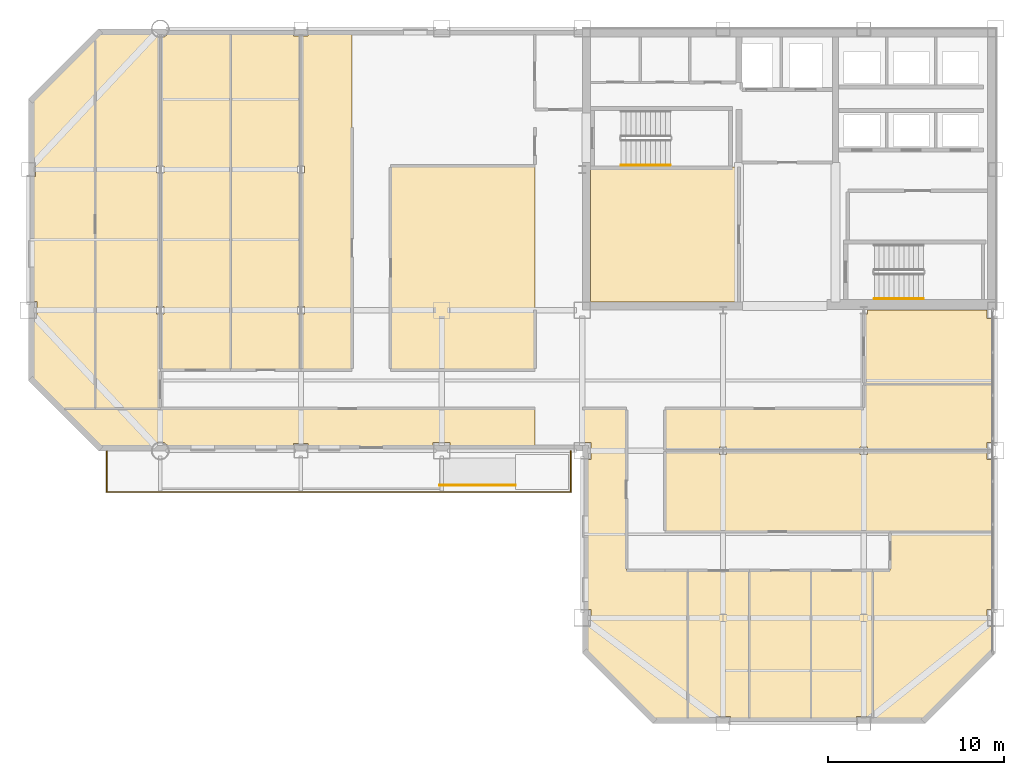
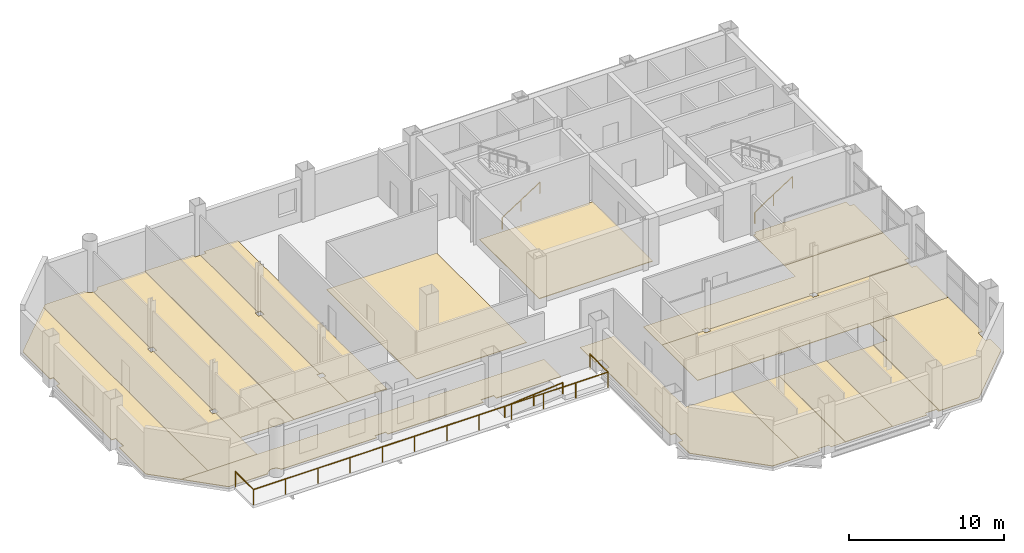
# One storey, part 11 of 12: 16 coverings, 4 railings.
"""IFC4 building model written with IfcOpenShell, lengths in metres."""

from ifc_helpers import new_model, si_unit, direction, frame, origin, origin_2d, place, context, subcontext, project, spatial, polyline, circle, outline, extrude, material, layer, layer_set, type_object, element, save


model = new_model("IFC4")

# Units and contexts
model_context = context("Model", 3, precision=1e-05, world=origin(), true_north=direction((0.0, 1.0)))
body_context = subcontext(model_context, "Body", "Model", "MODEL_VIEW")
ifc_project = project(units=[si_unit("LENGTHUNIT", "METRE"), si_unit("AREAUNIT", "SQUARE_METRE"), si_unit("VOLUMEUNIT", "CUBIC_METRE"), si_unit("PLANEANGLEUNIT", "RADIAN"), si_unit("MASSUNIT", "GRAM", prefix="KILO")], contexts=[model_context])

# Site, building, storey
site_placement = place(None, origin())
site = spatial("IfcSite", under=ifc_project, at=site_placement, CompositionType="ELEMENT")
building_placement = place(site_placement, origin())
building = spatial("IfcBuilding", under=site, at=building_placement, Name="Qianrong Seaharbour Tower", CompositionType="ELEMENT")
storey_placement = place(building_placement, frame((0.0, 0.0, 205.800048828125)))
storey = spatial("IfcBuildingStorey", under=building, at=storey_placement, Name="L49", CompositionType="ELEMENT", Elevation=205.800048828125)

# Coverings
ifc_material_1 = material(Name="Acoustic modular carpet tile flooring")
ifc_layer_1 = layer(ifc_material_1, 0.02001953125)
ifc_layer_set_1 = layer_set([ifc_layer_1], Name="Acoustic modular carpet tile flooring")
covering_type_1 = type_object("IfcCoveringType", Name="COV-FLOOR-CARPET-20", PredefinedType="FLOORING", material=ifc_layer_set_1)
covering_1_placement = place(storey_placement, origin())
element("IfcCovering", 1, at=covering_1_placement, inside=storey, type_object=covering_type_1, Name="L49 Focus Room 2 Finish Flooring", PredefinedType="FLOORING", context=body_context, shape_type="SweptSolid", body=[
    extrude(outline(polyline([(12.800048828125, 51.566650390625), (13.068359375, 51.8349609375), (16.019775390625, 51.8349609375), (16.02880859375, 51.8046875), (16.075927734375, 51.716796875), (16.139404296875, 51.639404296875), (16.216796875, 51.575927734375), (16.3046875, 51.52880859375), (16.400390625, 51.499755859375), (16.5, 51.489990234375), (16.5, 44.2099609375), (16.2900390625, 44.2099609375), (16.2900390625, 43.7900390625), (16.5, 43.7900390625), (16.5, 36.2099609375), (16.2900390625, 36.2099609375), (16.2900390625, 35.7900390625), (16.5, 35.7900390625), (16.5, 30.39990234375), (12.800048828125, 30.39990234375), (12.800048828125, 51.566650390625)])), origin(), (0.0, 0.0, 1.0), 0.02001953125),
])
covering_2_placement = place(storey_placement, origin())
element("IfcCovering", 2, at=covering_2_placement, inside=storey, type_object=covering_type_1, Name="L49 Meeting Room 3 Finish Flooring", PredefinedType="FLOORING", context=body_context, shape_type="SweptSolid", body=[
    extrude(outline(polyline([(20.5, 51.8349609375), (20.5, 32.60009765625), (16.5, 32.60009765625), (16.5, 35.7900390625), (16.7099609375, 35.7900390625), (16.7099609375, 36.2099609375), (16.5, 36.2099609375), (16.5, 43.7900390625), (16.7099609375, 43.7900390625), (16.7099609375, 44.2099609375), (16.5, 44.2099609375), (16.5, 51.489990234375), (16.599609375, 51.499755859375), (16.6953125, 51.52880859375), (16.783203125, 51.575927734375), (16.860595703125, 51.639404296875), (16.924072265625, 51.716796875), (16.97119140625, 51.8046875), (16.980224609375, 51.8349609375), (20.5, 51.8349609375)])), origin(), (0.0, 0.0, 1.0), 0.02001953125),
])
covering_3_placement = place(storey_placement, origin())
element("IfcCovering", 3, at=covering_3_placement, inside=storey, type_object=covering_type_1, Name="L49 Boardroom 2 Finish Flooring", PredefinedType="FLOORING", context=body_context, shape_type="SweptSolid", body=[
    extrude(outline(polyline([(56.5, 30.39990234375), (56.5, 31.800048828125), (63.8349609375, 31.800048828125), (63.8349609375, 28.485107421875), (63.514892578125, 28.485107421875), (63.514892578125, 28.0), (56.7099609375, 28.0), (56.7099609375, 28.2099609375), (56.2900390625, 28.2099609375), (56.2900390625, 28.0), (48.7099609375, 28.0), (48.7099609375, 28.2099609375), (48.2900390625, 28.2099609375), (48.2900390625, 28.0), (45.199951171875, 28.0), (45.199951171875, 30.39990234375), (56.5, 30.39990234375)])), origin(), (0.0, 0.0, 1.0), 0.02001953125),
])
covering_4_placement = place(storey_placement, origin())
element("IfcCovering", 4, at=covering_4_placement, inside=storey, type_object=covering_type_1, Name="L49 Focus Room 3 Finish Flooring", PredefinedType="FLOORING", context=body_context, shape_type="SweptSolid", body=[
    extrude(outline(polyline([(63.8349609375, 31.800048828125), (56.5, 31.800048828125), (56.5, 35.7900390625), (56.7099609375, 35.7900390625), (56.7099609375, 36.0), (63.514892578125, 36.0), (63.514892578125, 35.514892578125), (63.8349609375, 35.514892578125), (63.8349609375, 31.800048828125)])), origin(), (0.0, 0.0, 1.0), 0.02001953125),
])
covering_5_placement = place(storey_placement, origin())
element("IfcCovering", 5, at=covering_5_placement, inside=storey, type_object=covering_type_1, Name="L49 Meeting Room 2 Finish Flooring", PredefinedType="FLOORING", context=body_context, shape_type="SweptSolid", body=[
    extrude(outline(polyline([(48.909912109375, 12.6650390625), (48.909912109375, 12.909912109375), (48.090087890625, 12.909912109375), (48.090087890625, 12.6650390625), (46.5, 12.6650390625), (46.5, 21.199951171875), (50.0, 21.199951171875), (50.0, 12.6650390625), (48.909912109375, 12.6650390625)])), origin(), (0.0, 0.0, 1.0), 0.02001953125),
])
covering_6_placement = place(storey_placement, origin())
element("IfcCovering", 6, at=covering_6_placement, inside=storey, type_object=covering_type_1, Name="L49 Meeting Room 4 Finish Flooring", PredefinedType="FLOORING", context=body_context, shape_type="SweptSolid", body=[
    extrude(outline(polyline([(56.909912109375, 12.6650390625), (56.909912109375, 12.909912109375), (56.090087890625, 12.909912109375), (56.090087890625, 12.6650390625), (53.5, 12.6650390625), (53.5, 21.199951171875), (57.0, 21.199951171875), (57.0, 12.6650390625), (56.909912109375, 12.6650390625)])), origin(), (0.0, 0.0, 1.0), 0.02001953125),
])
ifc_material_2 = material(Name="Calcium-sulphate raised access floor tile")
ifc_layer_2 = layer(ifc_material_2, 0.044921875)
ifc_layer_set_2 = layer_set([ifc_layer_2], Name="Calcium-sulphate raised access floor tile")
covering_type_2 = type_object("IfcCoveringType", Name="COV-FLOOR-RAISED-45", PredefinedType="FLOORING", material=ifc_layer_set_2)
covering_7_placement = place(storey_placement, origin())
element("IfcCovering", 7, at=covering_7_placement, inside=storey, type_object=covering_type_2, Name="L49 Data Systems Office Finish Flooring", PredefinedType="FLOORING", context=body_context, shape_type="SweptSolid", body=[
    extrude(outline(polyline([(49.39990234375, 44.14990234375), (49.39990234375, 36.4599609375), (40.985107421875, 36.4599609375), (40.985107421875, 36.485107421875), (40.9599609375, 36.485107421875), (40.9599609375, 44.14990234375), (49.39990234375, 44.14990234375)])), origin(), (0.0, 0.0, 1.0), 0.044921875),
])
covering_8_placement = place(storey_placement, origin())
element("IfcCovering", 8, at=covering_8_placement, inside=storey, type_object=covering_type_2, Name="L49 Open-Plan Office Finish Flooring", PredefinedType="FLOORING", context=body_context, shape_type="SweptSolid", body=[
    extrude(outline(polyline([(29.60009765625, 44.199951171875), (37.800048828125, 44.199951171875), (37.800048828125, 32.60009765625), (29.60009765625, 32.60009765625), (29.60009765625, 44.199951171875)])), origin(), (0.0, 0.0, 1.0), 0.044921875),
])
covering_9_placement = place(storey_placement, origin())
element("IfcCovering", 9, at=covering_9_placement, inside=storey, type_object=covering_type_2, Name="L49 Executive Office 1 Finish Flooring", PredefinedType="FLOORING", context=body_context, shape_type="SweptSolid", body=[
    extrude(outline(polyline([(9.1650390625, 32.068359375), (9.1650390625, 35.514892578125), (9.485107421875, 35.514892578125), (9.485107421875, 36.485107421875), (9.1650390625, 36.485107421875), (9.1650390625, 43.590087890625), (9.409912109375, 43.590087890625), (9.409912109375, 44.409912109375), (9.1650390625, 44.409912109375), (9.1650390625, 47.931640625), (12.800048828125, 51.566650390625), (12.800048828125, 30.39990234375), (10.833251953125, 30.39990234375), (9.1650390625, 32.068359375)])), origin(), (0.0, 0.0, 1.0), 0.044921875),
])
covering_10_placement = place(storey_placement, origin())
element("IfcCovering", 10, at=covering_10_placement, inside=storey, type_object=covering_type_2, Name="L49 Executive Office 4 Finish Flooring", PredefinedType="FLOORING", context=body_context, shape_type="SweptSolid", body=[
    extrude(outline(polyline([(24.090087890625, 51.8349609375), (24.090087890625, 51.590087890625), (24.5, 51.590087890625), (24.5, 44.2099609375), (24.2900390625, 44.2099609375), (24.2900390625, 43.7900390625), (24.5, 43.7900390625), (24.5, 36.2099609375), (24.2900390625, 36.2099609375), (24.2900390625, 35.7900390625), (24.5, 35.7900390625), (24.5, 32.60009765625), (20.5, 32.60009765625), (20.5, 51.8349609375), (24.090087890625, 51.8349609375)])), origin(), (0.0, 0.0, 1.0), 0.044921875),
])
covering_11_placement = place(storey_placement, origin())
element("IfcCovering", 11, at=covering_11_placement, inside=storey, type_object=covering_type_2, Name="L49 Executive Office 5 Finish Flooring", PredefinedType="FLOORING", context=body_context, shape_type="SweptSolid", body=[
    extrude(outline(polyline([(27.39990234375, 51.8349609375), (27.39990234375, 32.60009765625), (24.5, 32.60009765625), (24.5, 35.7900390625), (24.7099609375, 35.7900390625), (24.7099609375, 36.2099609375), (24.5, 36.2099609375), (24.5, 43.7900390625), (24.7099609375, 43.7900390625), (24.7099609375, 44.2099609375), (24.5, 44.2099609375), (24.5, 51.590087890625), (24.909912109375, 51.590087890625), (24.909912109375, 51.8349609375), (27.39990234375, 51.8349609375)])), origin(), (0.0, 0.0, 1.0), 0.044921875),
])
covering_12_placement = place(storey_placement, origin())
element("IfcCovering", 12, at=covering_12_placement, inside=storey, type_object=covering_type_2, Name="L49 Executive Office 1 Finish Flooring", PredefinedType="FLOORING", context=body_context, shape_type="SweptSolid", body=[
    extrude(outline(polyline([(48.2900390625, 28.0), (48.2900390625, 27.7900390625), (48.7099609375, 27.7900390625), (48.7099609375, 28.0), (56.2900390625, 28.0), (56.2900390625, 27.7900390625), (56.7099609375, 27.7900390625), (56.7099609375, 28.0), (63.514892578125, 28.0), (63.514892578125, 27.514892578125), (63.8349609375, 27.514892578125), (63.8349609375, 23.39990234375), (45.199951171875, 23.39990234375), (45.199951171875, 28.0), (48.2900390625, 28.0)])), origin(), (0.0, 0.0, 1.0), 0.044921875),
])
covering_13_placement = place(storey_placement, origin())
element("IfcCovering", 13, at=covering_13_placement, inside=storey, type_object=covering_type_2, Name="L49 Executive Office 1 Finish Flooring", PredefinedType="FLOORING", context=body_context, shape_type="SweptSolid", body=[
    extrude(outline(polyline([(32.985107421875, 28.1650390625), (32.985107421875, 28.485107421875), (32.014892578125, 28.485107421875), (32.014892578125, 28.1650390625), (24.909912109375, 28.1650390625), (24.909912109375, 28.409912109375), (24.090087890625, 28.409912109375), (24.090087890625, 28.1650390625), (16.980224609375, 28.1650390625), (16.97119140625, 28.1953125), (16.924072265625, 28.283203125), (16.860595703125, 28.360595703125), (16.783203125, 28.424072265625), (16.6953125, 28.47119140625), (16.599609375, 28.500244140625), (16.5, 28.510009765625), (16.400390625, 28.500244140625), (16.3046875, 28.47119140625), (16.216796875, 28.424072265625), (16.139404296875, 28.360595703125), (16.075927734375, 28.283203125), (16.02880859375, 28.1953125), (16.019775390625, 28.1650390625), (13.068359375, 28.1650390625), (10.833251953125, 30.39990234375), (37.800048828125, 30.39990234375), (37.800048828125, 28.1650390625), (32.985107421875, 28.1650390625)])), origin(), (0.0, 0.0, 1.0), 0.044921875),
])
covering_14_placement = place(storey_placement, origin())
element("IfcCovering", 14, at=covering_14_placement, inside=storey, type_object=covering_type_2, Name="L49 Executive Office 1 Finish Flooring", PredefinedType="FLOORING", context=body_context, shape_type="SweptSolid", body=[
    extrude(outline(polyline([(43.0, 21.199951171875), (46.5, 21.199951171875), (46.5, 12.6650390625), (44.568359375, 12.6650390625), (40.6650390625, 16.568359375), (40.6650390625, 18.014892578125), (40.985107421875, 18.014892578125), (40.985107421875, 18.985107421875), (40.6650390625, 18.985107421875), (40.6650390625, 27.514892578125), (40.985107421875, 27.514892578125), (40.985107421875, 28.485107421875), (40.5, 28.485107421875), (40.5, 30.39990234375), (43.0, 30.39990234375), (43.0, 21.199951171875)])), origin(), (0.0, 0.0, 1.0), 0.044921875),
])
covering_15_placement = place(storey_placement, origin())
element("IfcCovering", 15, at=covering_15_placement, inside=storey, type_object=covering_type_2, Name="L49 Executive Office 3 Finish Flooring", PredefinedType="FLOORING", context=body_context, shape_type="SweptSolid", body=[
    extrude(outline(polyline([(50.0, 12.6650390625), (50.0, 21.199951171875), (53.5, 21.199951171875), (53.5, 12.6650390625), (50.0, 12.6650390625)])), origin(), (0.0, 0.0, 1.0), 0.044921875),
])
covering_16_placement = place(storey_placement, origin())
element("IfcCovering", 16, at=covering_16_placement, inside=storey, type_object=covering_type_2, Name="L49 Executive Office 5 Finish Flooring", PredefinedType="FLOORING", context=body_context, shape_type="SweptSolid", body=[
    extrude(outline(polyline([(59.931640625, 12.6650390625), (57.0, 12.6650390625), (57.0, 21.199951171875), (58.0, 21.199951171875), (58.0, 23.39990234375), (63.8349609375, 23.39990234375), (63.8349609375, 18.985107421875), (63.514892578125, 18.985107421875), (63.514892578125, 18.014892578125), (63.8349609375, 18.014892578125), (63.8349609375, 16.568359375), (59.931640625, 12.6650390625)])), origin(), (0.0, 0.0, 1.0), 0.044921875),
])

# Railings
ifc_material_3 = material(Name="Stainless steel SUS316L tubular handrail", Category="steel")
railing_type_1 = type_object("IfcRailingType", Name="RAIL-RAMP-HANDRAIL-900", PredefinedType="HANDRAIL", material=ifc_material_3)
railing_1_placement = place(storey_placement, frame((32.3798828125, 26.050048828125, 0.0)))
element("IfcRailing", 17, at=railing_1_placement, inside=storey, type_object=railing_type_1, Name="L49 Harbourfront Ribbon Ramp Handrail", PredefinedType="HANDRAIL", context=body_context, shape_type="SweptSolid", body=[
    extrude(circle(Radius=0.02392578125, at=origin_2d()), frame((0.0, 0.0, 0.8759765625), z_axis=(0.996548476515, 0.0, 0.083012854161), x_axis=(0.0, 1.0, 0.0)), (0.0, 0.0, 1.0), 4.3349609375),
    extrude(circle(Radius=0.02099609375, at=origin_2d()), origin(), (0.0, 0.0, 1.0), 0.851806640625),
    extrude(circle(Radius=0.02099609375, at=origin_2d()), frame((2.16015625, 0.0, 0.179931640625)), (0.0, 0.0, 1.0), 0.851806640625),
    extrude(circle(Radius=0.02099609375, at=origin_2d()), frame((4.320068359375, 0.0, 0.35986328125)), (0.0, 0.0, 1.0), 0.851806640625),
])
ifc_material_4 = material(Name="Stainless steel SUS316L continuous handrail", Category="steel")
railing_type_2 = type_object("IfcRailingType", Name="RAIL-STAIR-HANDRAIL-900", PredefinedType="HANDRAIL", material=ifc_material_4)
railing_2_placement = place(storey_placement, frame((42.699951171875, 44.25, 0.181884765625)))
element("IfcRailing", 18, at=railing_2_placement, inside=storey, type_object=railing_type_2, Name="L49 ST-1 stair handrail 1", PredefinedType="HANDRAIL", context=body_context, shape_type="SweptSolid", body=[
    extrude(circle(Radius=0.02392578125, at=origin_2d()), frame((0.0, 0.0, 0.8759765625), z_axis=(0.838705829183, 0.0, 0.544584733623), x_axis=(0.0, 1.0, 0.0)), (0.0, 0.0, 1.0), 3.338623046875),
    extrude(circle(Radius=0.02099609375, at=origin_2d()), origin(), (0.0, 0.0, 1.0), 0.851806640625),
    extrude(circle(Radius=0.02099609375, at=origin_2d()), frame((1.39990234375, 0.0, 0.9091796875)), (0.0, 0.0, 1.0), 0.851806640625),
    extrude(circle(Radius=0.02099609375, at=origin_2d()), frame((2.800048828125, 0.0, 1.818115234375)), (0.0, 0.0, 1.0), 0.851806640625),
])
railing_3_placement = place(storey_placement, frame((57.10009765625, 36.64990234375, 0.181884765625)))
element("IfcRailing", 19, at=railing_3_placement, inside=storey, type_object=railing_type_2, Name="L49 ST-2 stair handrail 1", PredefinedType="HANDRAIL", context=body_context, shape_type="SweptSolid", body=[
    extrude(circle(Radius=0.02392578125, at=origin_2d()), frame((0.0, 0.0, 0.8759765625), z_axis=(0.83868413941, 0.0, 0.544618136222), x_axis=(0.0, 1.0, 0.0)), (0.0, 0.0, 1.0), 3.33837890625),
    extrude(circle(Radius=0.02099609375, at=origin_2d()), origin(), (0.0, 0.0, 1.0), 0.851806640625),
    extrude(circle(Radius=0.02099609375, at=origin_2d()), frame((1.39990234375, 0.0, 0.9091796875)), (0.0, 0.0, 1.0), 0.851806640625),
    extrude(circle(Radius=0.02099609375, at=origin_2d()), frame((2.7998046875, 0.0, 1.818115234375)), (0.0, 0.0, 1.0), 0.851806640625),
])
ifc_material_5 = material(Name="Stainless steel SUS316L and laminated safety glass balustrade", Category="steel")
railing_type_3 = type_object("IfcRailingType", Name="RAIL-TERRACE-GUARD-1220", PredefinedType="GUARDRAIL", material=ifc_material_5)
railing_4_placement = place(storey_placement, frame((13.4599609375, 27.97998046875, 0.0)))
element("IfcRailing", 20, at=railing_4_placement, inside=storey, type_object=railing_type_3, Name="L49 Harbourfront Ribbon Gallery Guardrail", PredefinedType="GUARDRAIL", context=body_context, shape_type="SweptSolid", body=[
    extrude(circle(Radius=0.02392578125, at=origin_2d()), frame((0.0, 0.0, 1.19580078125), z_axis=(0.0, -1.0, 0.0), x_axis=(1.0, 0.0, 0.0)), (0.0, 0.0, 1.0), 2.320068359375),
    extrude(circle(Radius=0.02392578125, at=origin_2d()), frame((0.0, -2.320068359375, 1.19580078125), z_axis=(1.0, 0.0, 0.0), x_axis=(0.0, 1.0, 0.0)), (0.0, 0.0, 1.0), 26.380126953125),
    extrude(circle(Radius=0.02392578125, at=origin_2d()), frame((26.380126953125, -2.320068359375, 1.19580078125), z_axis=(0.0, 1.0, 0.0), x_axis=(-1.0, 0.0, 0.0)), (0.0, 0.0, 1.0), 2.320068359375),
    extrude(circle(Radius=0.02099609375, at=origin_2d()), origin(), (0.0, 0.0, 1.0), 1.171875),
    extrude(circle(Radius=0.02099609375, at=origin_2d()), frame((0.0, -2.320068359375, 0.0)), (0.0, 0.0, 1.0), 1.171875),
    extrude(circle(Radius=0.02099609375, at=origin_2d()), frame((2.398193359375, -2.320068359375, 0.0)), (0.0, 0.0, 1.0), 1.171875),
    extrude(circle(Radius=0.02099609375, at=origin_2d()), frame((4.79638671875, -2.320068359375, 0.0)), (0.0, 0.0, 1.0), 1.171875),
    extrude(circle(Radius=0.02099609375, at=origin_2d()), frame((7.194580078125, -2.320068359375, 0.0)), (0.0, 0.0, 1.0), 1.171875),
    extrude(circle(Radius=0.02099609375, at=origin_2d()), frame((9.5927734375, -2.320068359375, 0.0)), (0.0, 0.0, 1.0), 1.171875),
    extrude(circle(Radius=0.02099609375, at=origin_2d()), frame((11.990966796875, -2.320068359375, 0.0)), (0.0, 0.0, 1.0), 1.171875),
    extrude(circle(Radius=0.02099609375, at=origin_2d()), frame((14.38916015625, -2.320068359375, 0.0)), (0.0, 0.0, 1.0), 1.171875),
    extrude(circle(Radius=0.02099609375, at=origin_2d()), frame((16.787353515625, -2.320068359375, 0.0)), (0.0, 0.0, 1.0), 1.171875),
    extrude(circle(Radius=0.02099609375, at=origin_2d()), frame((19.185546875, -2.320068359375, 0.0)), (0.0, 0.0, 1.0), 1.171875),
    extrude(circle(Radius=0.02099609375, at=origin_2d()), frame((21.583740234375, -2.320068359375, 0.0)), (0.0, 0.0, 1.0), 1.171875),
    extrude(circle(Radius=0.02099609375, at=origin_2d()), frame((23.98193359375, -2.320068359375, 0.0)), (0.0, 0.0, 1.0), 1.171875),
    extrude(circle(Radius=0.02099609375, at=origin_2d()), frame((26.380126953125, -2.320068359375, 0.0)), (0.0, 0.0, 1.0), 1.171875),
    extrude(circle(Radius=0.02099609375, at=origin_2d()), frame((26.380126953125, 0.0, 0.0)), (0.0, 0.0, 1.0), 1.171875),
])

save(model, "model.ifc")
